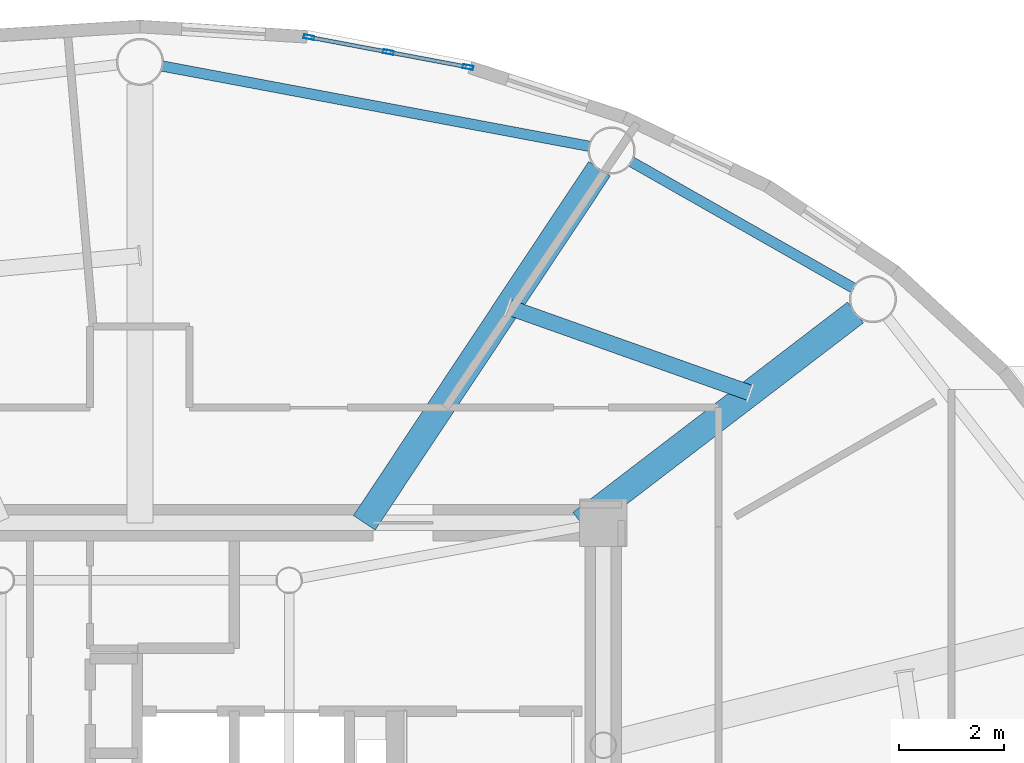
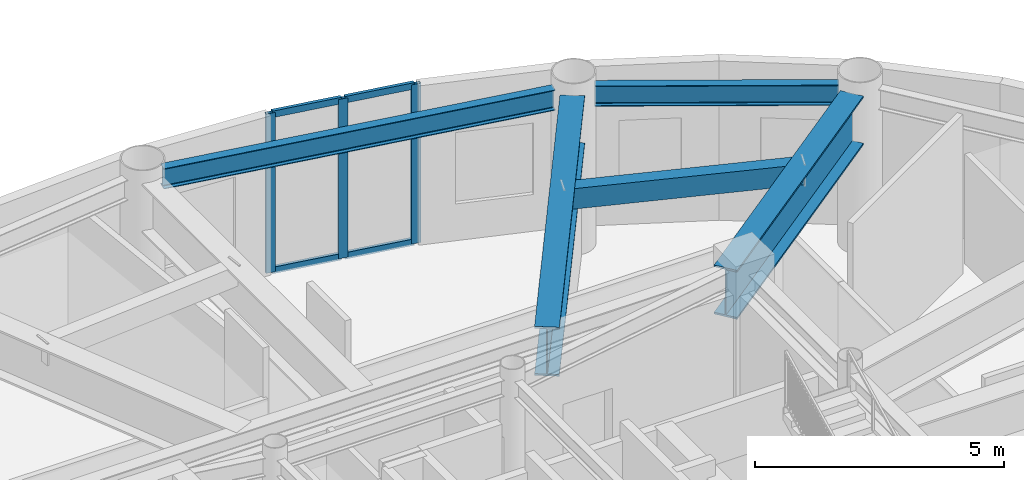
# One storey, part 10 of 26: 7 members, 5 beams, 1 element without a shape of its own.
"""IFC4 building model written with IfcOpenShell, lengths in metres."""

import ifcopenshell
import ifcopenshell.guid

model = None  # the IFC model being written
_history = None  # IfcOwnerHistory: only IFC2X3 demands one
_inside = {}  # id of a spatial element -> (the spatial element, [elements in it])
_under = {}  # id of a project, library or spatial element -> (it, [spatial elements below it])
_declared = {}  # id of a project -> (the project, [libraries it declares])
_typed = {}  # id of a type object -> (the type object, [elements of that type])
_made_of = {}  # id of a material, layer set ... -> (it, [elements and type objects made of it])


def new_model(schema):
    """Start an empty IFC model of exactly this schema.

    Asked for "IFC4X3", IfcOpenShell would pick the latest addendum, in which some entities
    have other attributes; the version numbers below select the first issue.
    IFC2X3 requires an IfcOwnerHistory on every rooted entity: one is made here for all.
    """
    global model, _history
    if schema == "IFC4X3":
        model = ifcopenshell.file(schema_version=(4, 3, 0, 0))
    else:
        model = ifcopenshell.file(schema=schema)
    _inside.clear()
    _under.clear()
    _declared.clear()
    _typed.clear()
    _made_of.clear()
    _history = None
    if model.schema == "IFC2X3":
        org = make("IfcOrganization", Name="unknown")
        user = make(
            "IfcPersonAndOrganization",
            ThePerson=make("IfcPerson", FamilyName="unknown"),
            TheOrganization=org,
        )
        app = make(
            "IfcApplication",
            ApplicationDeveloper=org,
            Version="unknown",
            ApplicationFullName="unknown",
            ApplicationIdentifier="unknown",
        )
        _history = make(
            "IfcOwnerHistory",
            OwningUser=user,
            OwningApplication=app,
            ChangeAction="ADDED",
            CreationDate=0,
        )
    return model


def make(cls, **values):
    """One entity of the class cls with the attributes given. An attribute that is None is left unset."""
    return model.create_entity(
        cls, **{name: value for name, value in values.items() if value is not None}
    )


def rooted(cls, **values):
    """An entity with a GlobalId (a new one), such as an element, a storey or a relation."""
    return make(cls, GlobalId=ifcopenshell.guid.new(), OwnerHistory=_history, **values)


def si_unit(unit_type, name, prefix=None):
    """IfcSIUnit, for example si_unit("LENGTHUNIT", "METRE", prefix="MILLI")."""
    return make("IfcSIUnit", UnitType=unit_type, Prefix=prefix, Name=name)


def assignment(units):
    """IfcUnitAssignment: the units of a project."""
    return None if units is None else make("IfcUnitAssignment", Units=units)


def point(xyz):
    """IfcCartesianPoint."""
    return None if xyz is None else make("IfcCartesianPoint", Coordinates=xyz)


def direction(xyz):
    """IfcDirection."""
    return None if xyz is None else make("IfcDirection", DirectionRatios=xyz)


def frame(location, z_axis=None, x_axis=None):
    """IfcAxis2Placement3D, a coordinate frame: its origin and axes. An axis left out is left unset."""
    return make(
        "IfcAxis2Placement3D",
        Location=point(location),
        Axis=direction(z_axis),
        RefDirection=direction(x_axis),
    )


def frame_2d(location, x_axis=None):
    """IfcAxis2Placement2D, a coordinate frame in the plane: its origin and x axis."""
    return make(
        "IfcAxis2Placement2D", Location=point(location), RefDirection=direction(x_axis)
    )


def origin():
    """The frame at (0, 0, 0) with its axes left unset."""
    return frame((0.0, 0.0, 0.0))


def origin_2d():
    """The frame at (0, 0) in the plane with its x axis left unset."""
    return frame_2d((0.0, 0.0))


def place(relative_to, where):
    """IfcLocalPlacement: puts the frame where relative to a parent placement (None: the world)."""
    return make(
        "IfcLocalPlacement", PlacementRelTo=relative_to, RelativePlacement=where
    )


def context(
    kind, dimensions, precision=None, world=None, true_north=None, identifier=None
):
    """IfcGeometricRepresentationContext, for example the 3D "Model" context."""
    return make(
        "IfcGeometricRepresentationContext",
        ContextIdentifier=identifier,
        ContextType=kind,
        CoordinateSpaceDimension=dimensions,
        Precision=precision,
        WorldCoordinateSystem=world,
        TrueNorth=true_north,
    )


def subcontext(parent, identifier, kind, view, scale=None):
    """IfcGeometricRepresentationSubContext, for example "Body" below "Model"."""
    return make(
        "IfcGeometricRepresentationSubContext",
        ContextIdentifier=identifier,
        ContextType=kind,
        ParentContext=parent,
        TargetScale=scale,
        TargetView=view,
    )


def project(units=None, contexts=None):
    """IfcProject with its units and contexts."""
    return rooted(
        "IfcProject",
        Name="project",
        RepresentationContexts=contexts,
        UnitsInContext=assignment(units),
    )


def spatial(cls, under=None, at=None, **own):
    """A site, building, storey or space (cls), placed at a placement, below another one or the project."""
    s = rooted(cls, ObjectPlacement=at, **own)
    if under is not None:
        _under.setdefault(under.id(), (under, []))[1].append(s)
    return s


def profile(cls, at=None, kind="AREA", **sizes):
    """A parametric profile (cls). Its sizes go by their IFC names, for example OverallWidth=200.0."""
    return make(cls, ProfileType=kind, Position=at, **sizes)


def hollow_rectangle(**sizes):
    """IfcRectangleHollowProfileDef."""
    return profile("IfcRectangleHollowProfileDef", **sizes)


def i_section(**sizes):
    """IfcIShapeProfileDef."""
    return profile("IfcIShapeProfileDef", **sizes)


def extrude(swept, where, along, depth):
    """IfcExtrudedAreaSolid: the profile swept, set in the frame where, extruded along a direction by depth."""
    return make(
        "IfcExtrudedAreaSolid",
        SweptArea=swept,
        Position=where,
        ExtrudedDirection=direction(along),
        Depth=depth,
    )


def shape(context_of_items, identifier, shape_type, items):
    """IfcShapeRepresentation: the items that make up one representation, for example the "Body"."""
    return make(
        "IfcShapeRepresentation",
        ContextOfItems=context_of_items,
        RepresentationIdentifier=identifier,
        RepresentationType=shape_type,
        Items=items,
    )


def source(mapping_origin, context_of_items, identifier, shape_type, items):
    """IfcRepresentationMap: a shape defined once, which mapped items show again and again."""
    return make(
        "IfcRepresentationMap",
        MappingOrigin=mapping_origin,
        MappedRepresentation=shape(context_of_items, identifier, shape_type, items),
    )


def transform(
    local_origin,
    x_axis=None,
    y_axis=None,
    z_axis=None,
    scale=None,
    scale2=None,
    scale3=None,
    uniform=True,
):
    """IfcCartesianTransformationOperator3D, or its non-uniform kind. x_axis, y_axis, z_axis: its Axis1, 2, 3."""
    if uniform:
        return make(
            "IfcCartesianTransformationOperator3D",
            Axis1=direction(x_axis),
            Axis2=direction(y_axis),
            LocalOrigin=point(local_origin),
            Scale=scale,
            Axis3=direction(z_axis),
        )
    return make(
        "IfcCartesianTransformationOperator3DnonUniform",
        Axis1=direction(x_axis),
        Axis2=direction(y_axis),
        LocalOrigin=point(local_origin),
        Scale=scale,
        Axis3=direction(z_axis),
        Scale2=scale2,
        Scale3=scale3,
    )


def mapped(mapping_source, mapping_target):
    """IfcMappedItem: shows the shape of a source again, moved by a transform."""
    return make(
        "IfcMappedItem", MappingSource=mapping_source, MappingTarget=mapping_target
    )


def material(Name=None, Category=None):
    """IfcMaterial."""
    return make("IfcMaterial", Name=Name, Category=Category)


def layer(
    of_material, thickness, ventilated=None, Name=None, Category=None, Priority=None
):
    """IfcMaterialLayer: one layer of a wall or slab, of a material (None: an air gap)."""
    return make(
        "IfcMaterialLayer",
        Material=of_material,
        LayerThickness=thickness,
        IsVentilated=ventilated,
        Name=Name,
        Category=Category,
        Priority=Priority,
    )


def layer_set(layers, Name=None):
    """IfcMaterialLayerSet."""
    return make("IfcMaterialLayerSet", MaterialLayers=layers, LayerSetName=Name)


def material_profile(
    of_material, cross_section, Name=None, Category=None, Priority=None
):
    """IfcMaterialProfile: a cross section and its material."""
    return make(
        "IfcMaterialProfile",
        Name=Name,
        Material=of_material,
        Profile=cross_section,
        Priority=Priority,
        Category=Category,
    )


def profile_set(profiles, Name=None, composite=None):
    """IfcMaterialProfileSet."""
    return make(
        "IfcMaterialProfileSet",
        Name=Name,
        MaterialProfiles=profiles,
        CompositeProfile=composite,
    )


def made_of(thing, what):
    """Note that an element or type object is made of a material, layer set ...; save() writes the relation."""
    if what is not None:
        _made_of.setdefault(what.id(), (what, []))[1].append(thing)
    return thing


def type_object(cls, material=None, **own):
    """A type object (cls), such as IfcWallType, which elements share."""
    return made_of(rooted(cls, **own), material)


def element(
    cls,
    number,
    at=None,
    inside=None,
    cuts=None,
    type_object=None,
    material=None,
    context=None,
    identifier="Body",
    shape_type=None,
    held_by="IfcProductDefinitionShape",
    body=None,
    shapes=None,
    **own,
):
    """One element of the class cls, such as IfcWall. Its Tag is "e" and its number.

    at: its placement. inside: the storey or other place that contains it. cuts: it is an
    opening in that element (IfcRelVoidsElement). A single representation is given by context,
    identifier, shape_type and body (its items); several are given by shapes. held_by: the class
    of the entity that holds the representations. save() writes the other relations.
    """
    e = rooted(cls, Tag="e%d" % number, ObjectPlacement=at, **own)
    if body is not None:
        shapes = [shape(context, identifier, shape_type, body)]
    if shapes is not None:
        e.Representation = make(held_by, Representations=shapes)
    if inside is not None:
        _inside.setdefault(inside.id(), (inside, []))[1].append(e)
    if cuts is not None:
        rooted(
            "IfcRelVoidsElement", RelatingBuildingElement=cuts, RelatedOpeningElement=e
        )
    if type_object is not None:
        _typed.setdefault(type_object.id(), (type_object, []))[1].append(e)
    return made_of(e, material)


def aggregate(whole, parts):
    """IfcRelAggregates: a whole, such as a stair, and the parts it consists of."""
    return rooted("IfcRelAggregates", RelatingObject=whole, RelatedObjects=parts)


def save(model, path):
    """Write the relations noted so far, then the file.

    IfcRelAggregates (storeys below a building ...), IfcRelContainedInSpatialStructure (elements
    in a storey), IfcRelDefinesByType, IfcRelAssociatesMaterial and IfcRelDeclares: one each for
    every whole, place, type object, material and project.
    """
    for whole, parts in _under.values():
        aggregate(whole, parts)
    for where, things in _inside.values():
        rooted(
            "IfcRelContainedInSpatialStructure",
            RelatedElements=things,
            RelatingStructure=where,
        )
    for kind, things in _typed.values():
        rooted("IfcRelDefinesByType", RelatedObjects=things, RelatingType=kind)
    for what, things in _made_of.values():
        rooted("IfcRelAssociatesMaterial", RelatedObjects=things, RelatingMaterial=what)
    for by, libraries in _declared.values():
        rooted("IfcRelDeclares", RelatingContext=by, RelatedDefinitions=libraries)
    model.write(path)


model = new_model("IFC4")

# Units and contexts
model_context = context("Model", 3, precision=1e-05, world=origin(), true_north=direction((0.0, 1.0)))
body_context = subcontext(model_context, "Body", "Model", "MODEL_VIEW")
ifc_project = project(units=[si_unit("LENGTHUNIT", "METRE"), si_unit("AREAUNIT", "SQUARE_METRE"), si_unit("VOLUMEUNIT", "CUBIC_METRE"), si_unit("PLANEANGLEUNIT", "RADIAN"), si_unit("MASSUNIT", "GRAM", prefix="KILO")], contexts=[model_context])

# Site, building, storey
site_placement = place(None, origin())
site = spatial("IfcSite", under=ifc_project, at=site_placement, CompositionType="ELEMENT")
building_placement = place(site_placement, origin())
building = spatial("IfcBuilding", under=site, at=building_placement, Name="Linh Dai School and Residence Tower", CompositionType="ELEMENT")
storey_placement = place(building_placement, frame((0.0, 0.0, 346.800048828125)))
storey = spatial("IfcBuildingStorey", under=building, at=storey_placement, Name="L86", CompositionType="ELEMENT", Elevation=346.800048828125)

# Beams
ifc_material_1 = material(Name="Structural Steel S355JR", Category="steel")
ifc_material_profile_1 = material_profile(ifc_material_1, hollow_rectangle(XDim=0.300048828125, YDim=0.5, WallThickness=0.01611328125, at=origin_2d()), Name="RHS 500x300x16")
ifc_profile_set_1 = profile_set([ifc_material_profile_1], Name="Structural Steel S355JR")
beam_type_1 = type_object("IfcBeamType", Name="BM-BX5", PredefinedType="BEAM", material=ifc_profile_set_1)
beam_1_placement = place(storey_placement, frame((47.654296875, 35.929931640625, 3.64990234375), z_axis=(-0.942259700993, 0.334883048069, 0.0), x_axis=(-0.334883048069, -0.942259700993, 0.0)))
element("IfcBeam", 1, at=beam_1_placement, inside=storey, type_object=beam_type_1, Name="L86 Secondary Circumferential Floor Beam 02", PredefinedType="BEAM", context=body_context, shape_type="SweptSolid", body=[
    extrude(hollow_rectangle(XDim=0.300048828125, YDim=0.5, WallThickness=0.01611328125, at=origin_2d()), origin(), (0.0, 0.0, 1.0), 4.9072265625),
])
ifc_material_profile_2 = material_profile(ifc_material_1, i_section(OverallWidth=0.199951171875, OverallDepth=0.5, WebThickness=0.01025390625, FlangeThickness=0.01611328125, FilletRadius=0.02099609375, at=origin_2d()), Name="IPE 500")
ifc_profile_set_2 = profile_set([ifc_material_profile_2], Name="Structural Steel S355JR")
beam_type_2 = type_object("IfcBeamType", Name="BM-RB50", PredefinedType="BEAM", material=ifc_profile_set_2)
beam_2_placement = place(storey_placement, frame((49.637451171875, 37.930419921875, 3.64990234375), z_axis=(-0.86923725405, 0.494395182189, 0.0), x_axis=(-0.494395182189, -0.86923725405, 0.0)))
element("IfcBeam", 2, at=beam_2_placement, inside=storey, type_object=beam_type_2, Name="L86 Perimeter Elliptical Ring Beam 03", PredefinedType="BEAM", context=body_context, shape_type="SweptSolid", body=[
    extrude(i_section(OverallWidth=0.199951171875, OverallDepth=0.5, WebThickness=0.01025390625, FlangeThickness=0.01611328125, FilletRadius=0.02099609375, at=origin_2d()), origin(), (0.0, 0.0, 1.0), 4.903076171875),
])
beam_3_placement = place(storey_placement, frame((44.597412109375, 40.6396484375, 3.64990234375), z_axis=(-0.98280175603, 0.184663771066, 0.0), x_axis=(-0.184663771066, -0.98280175603, 0.0)))
element("IfcBeam", 3, at=beam_3_placement, inside=storey, type_object=beam_type_2, Name="L86 Perimeter Elliptical Ring Beam 04", PredefinedType="BEAM", context=body_context, shape_type="SweptSolid", body=[
    extrude(i_section(OverallWidth=0.199951171875, OverallDepth=0.5, WebThickness=0.01025390625, FlangeThickness=0.01611328125, FilletRadius=0.02099609375, at=origin_2d()), origin(), (0.0, 0.0, 1.0), 8.327880859375),
])
ifc_material_profile_3 = material_profile(ifc_material_1, i_section(OverallWidth=0.5, OverallDepth=1.199951171875, WebThickness=0.02392578125, FlangeThickness=0.044921875, at=origin_2d()), Name="PG 1200x500x24x45")
ifc_profile_set_3 = profile_set([ifc_material_profile_3], Name="Structural Steel S355JR")
beam_type_3 = type_object("IfcBeamType", Name="BM-TG12", PredefinedType="BEAM", material=ifc_profile_set_3)
beam_4_placement = place(storey_placement, frame((44.4228515625, 33.449951171875, 3.300048828125), z_axis=(0.793929753809, 0.608009495006, 0.0), x_axis=(-0.608009495006, 0.793929753809, 0.0)))
element("IfcBeam", 4, at=beam_4_placement, inside=storey, type_object=beam_type_3, Name="L86 Primary Radial Floor Girder 03", PredefinedType="BEAM", context=body_context, shape_type="SweptSolid", body=[
    extrude(i_section(OverallWidth=0.5, OverallDepth=1.199951171875, WebThickness=0.02392578125, FlangeThickness=0.044921875, at=origin_2d()), origin(), (0.0, 0.0, 1.0), 6.607666015625),
])
beam_5_placement = place(storey_placement, frame((40.28515625, 33.449951171875, 3.300048828125), z_axis=(0.553380967678, 0.832928270989, 0.0), x_axis=(-0.832928270989, 0.553380967678, 0.0)))
element("IfcBeam", 5, at=beam_5_placement, inside=storey, type_object=beam_type_3, Name="L86 Primary Radial Floor Girder 04", PredefinedType="BEAM", context=body_context, shape_type="SweptSolid", body=[
    extrude(i_section(OverallWidth=0.5, OverallDepth=1.199951171875, WebThickness=0.02392578125, FlangeThickness=0.044921875, at=origin_2d()), origin(), (0.0, 0.0, 1.0), 8.11865234375),
])

# Curtain wall, members
ifc_material_2 = material(Name="Aluminium Anodised Curtain Wall", Category="aluminium")
ifc_layer = layer(ifc_material_2, 0.199951171875)
ifc_layer_set = layer_set([ifc_layer], Name="Aluminium Anodised Curtain Wall")
curtain_wall_type = type_object("IfcCurtainWallType", Name="CW-SYS-6", PredefinedType="USERDEFINED", material=ifc_layer_set)
curtain_wall_placement = place(storey_placement, origin())
curtain_wall = element("IfcCurtainWall", 6, at=curtain_wall_placement, inside=storey, type_object=curtain_wall_type, Name="L86 CW6 Curtain Wall 09", ObjectType="UNITISED CURTAIN WALL", PredefinedType="USERDEFINED")
ifc_material_3 = material(Name="Aluminium Alloy 6063-T6", Category="aluminium")
ifc_material_profile_4 = material_profile(ifc_material_3, hollow_rectangle(XDim=0.074951171875, YDim=0.199951171875, WallThickness=0.00390625, at=origin_2d()), Name="RHS 200x75x4")
ifc_profile_set_4 = profile_set([ifc_material_profile_4], Name="Aluminium Alloy 6063-T6")
member_type_1 = type_object("IfcMemberType", Name="CW-SYS-6-MUL", PredefinedType="MULLION", material=ifc_profile_set_4)
shared_shape_1 = source(origin(), body_context, "Body", "SweptSolid", [
    extrude(hollow_rectangle(XDim=0.074951171875, YDim=0.199951171875, WallThickness=0.00390625, at=origin_2d()), origin(), (0.0, 0.0, 1.0), 3.89990234375),
])
member_1_placement = place(storey_placement, frame((39.228271484375, 42.726318359375, 0.0), z_axis=(0.0, 0.0, 1.0), x_axis=(0.184784564405, 0.982779051851, 0.0)))
member_1 = element("IfcMember", 7, at=member_1_placement, type_object=member_type_1, Name="CW6 mullion 1", PredefinedType="MULLION", context=body_context, shape_type="MappedRepresentation", body=[
    mapped(shared_shape_1, transform((0.0, 0.0, 0.0), x_axis=(1.0, 0.0, 0.0), y_axis=(0.0, 1.0, 0.0), z_axis=(0.0, 0.0, 1.0), scale=1.0)),
])
member_2_placement = place(storey_placement, frame((40.747802734375, 42.440673828125, 0.0), z_axis=(0.0, 0.0, 1.0), x_axis=(0.184784564405, 0.982779051851, 0.0)))
member_2 = element("IfcMember", 8, at=member_2_placement, type_object=member_type_1, Name="CW6 mullion 2", PredefinedType="MULLION", context=body_context, shape_type="MappedRepresentation", body=[
    mapped(shared_shape_1, transform((0.0, 0.0, 0.0), x_axis=(1.0, 0.0, 0.0), y_axis=(0.0, 1.0, 0.0), z_axis=(0.0, 0.0, 1.0), scale=1.0)),
])
member_3_placement = place(storey_placement, frame((42.26708984375, 42.155029296875, 0.0), z_axis=(0.0, 0.0, 1.0), x_axis=(0.184784564405, 0.982779051851, 0.0)))
member_3 = element("IfcMember", 9, at=member_3_placement, type_object=member_type_1, Name="CW6 mullion 3", PredefinedType="MULLION", context=body_context, shape_type="MappedRepresentation", body=[
    mapped(shared_shape_1, transform((0.0, 0.0, 0.0), x_axis=(1.0, 0.0, 0.0), y_axis=(0.0, 1.0, 0.0), z_axis=(0.0, 0.0, 1.0), scale=1.0)),
])
ifc_material_profile_5 = material_profile(ifc_material_3, hollow_rectangle(XDim=0.074951171875, YDim=0.159912109375, WallThickness=0.00390625, at=origin_2d()), Name="RHS 160x75x4")
ifc_profile_set_5 = profile_set([ifc_material_profile_5], Name="Aluminium Alloy 6063-T6")
member_type_2 = type_object("IfcMemberType", Name="CW-SYS-6-TRN", PredefinedType="USERDEFINED", material=ifc_profile_set_5)
shared_shape_2 = source(origin(), body_context, "Body", "SweptSolid", [
    extrude(hollow_rectangle(XDim=0.074951171875, YDim=0.159912109375, WallThickness=0.00390625, at=origin_2d()), origin(), (0.0, 0.0, 1.0), 1.47119140625),
])
member_4_placement = place(storey_placement, frame((39.26513671875, 42.719482421875, 0.037353515625), z_axis=(0.982763050939, -0.184869645178, 0.0), x_axis=(0.184869645178, 0.982763050939, 0.0)))
member_4 = element("IfcMember", 10, at=member_4_placement, type_object=member_type_2, Name="CW6 transom 1.1", ObjectType="TRANSOM", PredefinedType="USERDEFINED", context=body_context, shape_type="MappedRepresentation", body=[
    mapped(shared_shape_2, transform((0.0, 0.0, 0.0), x_axis=(1.0, 0.0, 0.0), y_axis=(0.0, 1.0, 0.0), z_axis=(0.0, 0.0, 1.0), scale=1.0)),
])
member_5_placement = place(storey_placement, frame((39.26513671875, 42.719482421875, 3.862548828125), z_axis=(0.982763050939, -0.184869645178, 0.0), x_axis=(0.184869645178, 0.982763050939, 0.0)))
member_5 = element("IfcMember", 11, at=member_5_placement, type_object=member_type_2, Name="CW6 transom 1.2", ObjectType="TRANSOM", PredefinedType="USERDEFINED", context=body_context, shape_type="MappedRepresentation", body=[
    mapped(shared_shape_2, transform((0.0, 0.0, 0.0), x_axis=(1.0, 0.0, 0.0), y_axis=(0.0, 1.0, 0.0), z_axis=(0.0, 0.0, 1.0), scale=1.0)),
])
shared_shape_3 = source(origin(), body_context, "Body", "SweptSolid", [
    extrude(hollow_rectangle(XDim=0.074951171875, YDim=0.159912109375, WallThickness=0.00390625, at=origin_2d()), origin(), (0.0, 0.0, 1.0), 1.470947265625),
])
member_6_placement = place(storey_placement, frame((40.78466796875, 42.433837890625, 0.037353515625), z_axis=(0.982757377873, -0.184899800532, 0.0), x_axis=(0.184899800532, 0.982757377873, 0.0)))
member_6 = element("IfcMember", 12, at=member_6_placement, type_object=member_type_2, Name="CW6 transom 2.1", ObjectType="TRANSOM", PredefinedType="USERDEFINED", context=body_context, shape_type="MappedRepresentation", body=[
    mapped(shared_shape_3, transform((0.0, 0.0, 0.0), x_axis=(1.0, 0.0, 0.0), y_axis=(0.0, 1.0, 0.0), z_axis=(0.0, 0.0, 1.0), scale=1.0)),
])
member_7_placement = place(storey_placement, frame((40.78466796875, 42.433837890625, 3.862548828125), z_axis=(0.982757377873, -0.184899800532, 0.0), x_axis=(0.184899800532, 0.982757377873, 0.0)))
member_7 = element("IfcMember", 13, at=member_7_placement, type_object=member_type_2, Name="CW6 transom 2.2", ObjectType="TRANSOM", PredefinedType="USERDEFINED", context=body_context, shape_type="MappedRepresentation", body=[
    mapped(shared_shape_3, transform((0.0, 0.0, 0.0), x_axis=(1.0, 0.0, 0.0), y_axis=(0.0, 1.0, 0.0), z_axis=(0.0, 0.0, 1.0), scale=1.0)),
])
aggregate(curtain_wall, [member_1, member_2, member_3, member_4, member_5, member_6, member_7])

save(model, "model.ifc")
